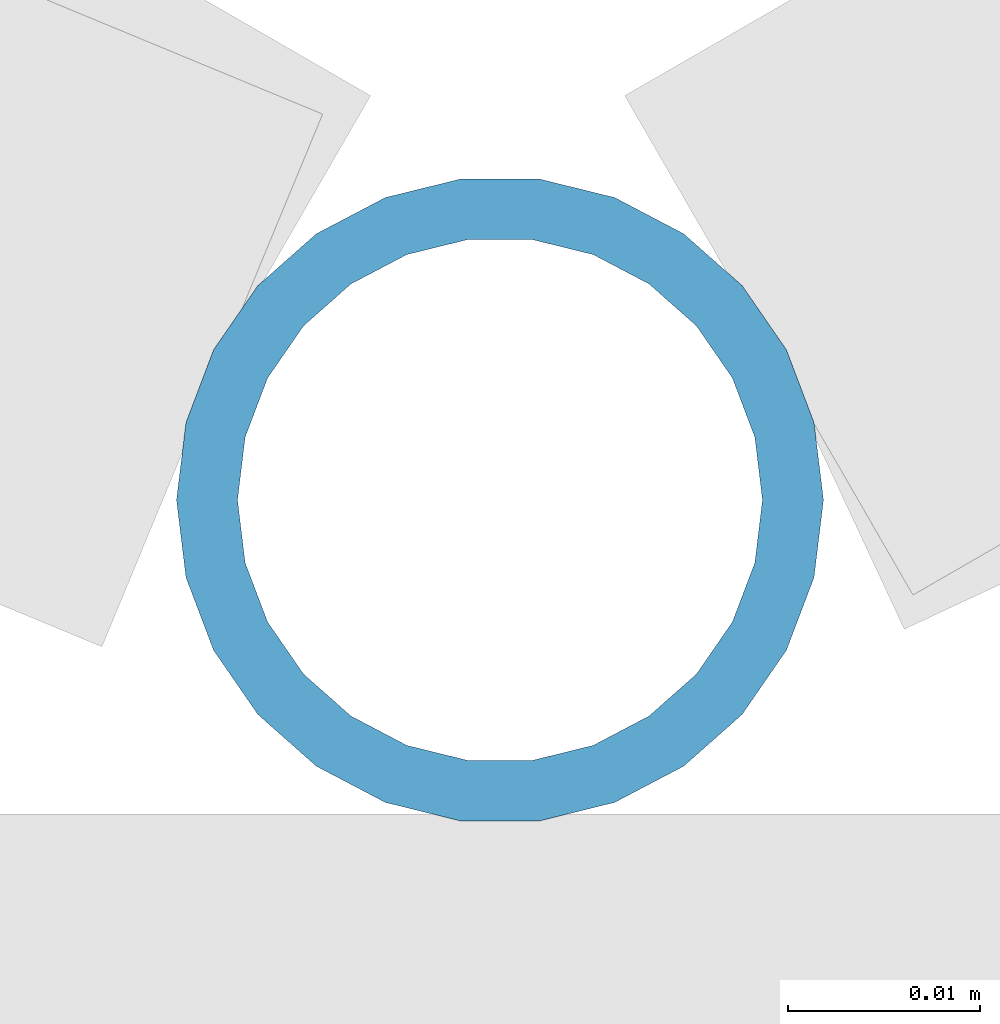
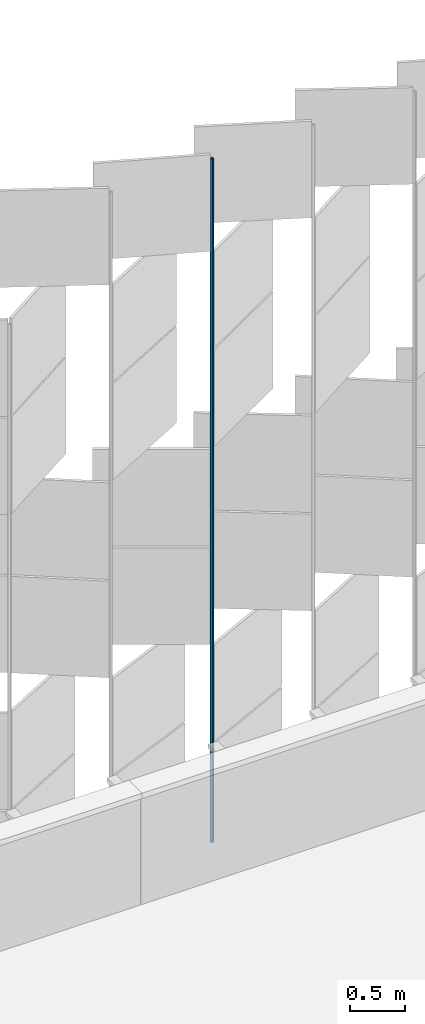
# One storey, part 358 of 483: 1 discrete accessory.
"""IFC4 building model written with IfcOpenShell, lengths in metres."""

from ifc_helpers import new_model, si_unit, direction, frame, origin, origin_2d, place, context, subcontext, project, spatial, hollow_circle, extrude, material, material_profile, profile_set, type_object, element, save


model = new_model("IFC4")

# Units and contexts
model_context = context("Model", 3, precision=1e-05, world=origin(), true_north=direction((0.0, 1.0)))
body_context = subcontext(model_context, "Body", "Model", "MODEL_VIEW")
ifc_project = project(units=[si_unit("LENGTHUNIT", "METRE"), si_unit("AREAUNIT", "SQUARE_METRE"), si_unit("VOLUMEUNIT", "CUBIC_METRE"), si_unit("PLANEANGLEUNIT", "RADIAN"), si_unit("MASSUNIT", "GRAM", prefix="KILO")], contexts=[model_context])

# Site, building, storey
site_placement = place(None, origin())
site = spatial("IfcSite", under=ifc_project, at=site_placement, CompositionType="ELEMENT")
building_placement = place(site_placement, origin())
building = spatial("IfcBuilding", under=site, at=building_placement, Name="Parallax Yard Mobility Hub", CompositionType="ELEMENT")
storey_placement = place(building_placement, frame((0.0, 0.0, 13.199951171875)))
storey = spatial("IfcBuildingStorey", under=building, at=storey_placement, Name="L04", CompositionType="ELEMENT", Elevation=13.199951171875)

# Discrete accessory
ifc_material = material(Name="Steel ASTM A500 Gr C, hot-dip galvanised", Category="steel")
ifc_material_profile = material_profile(ifc_material, hollow_circle(Radius=0.016845703125, WallThickness=0.003173828125, at=origin_2d()), Name="CHS 33.7x3.2")
ifc_profile_set = profile_set([ifc_material_profile], Name="Steel ASTM A500 Gr C, hot-dip galvanised")
discrete_accessory_type = type_object("IfcDiscreteAccessoryType", Name="Hinge post CHS 33.7x3.2", PredefinedType="BRACKET", material=ifc_profile_set)
discrete_accessory_placement = place(storey_placement, frame((128.568115234375, 142.800048828125, 0.0), z_axis=(0.0, 0.0, 1.0), x_axis=(1.0, 0.0, 0.0)))
element("IfcDiscreteAccessory", 1, at=discrete_accessory_placement, inside=storey, type_object=discrete_accessory_type, Name="Hinge post bay 56.7 level L04", PredefinedType="BRACKET", context=body_context, shape_type="SweptSolid", body=[
    extrude(hollow_circle(Radius=0.016845703125, WallThickness=0.003173828125, at=origin_2d()), origin(), (0.0, 0.0, 1.0), 7.650146484375),
])

save(model, "model.ifc")
